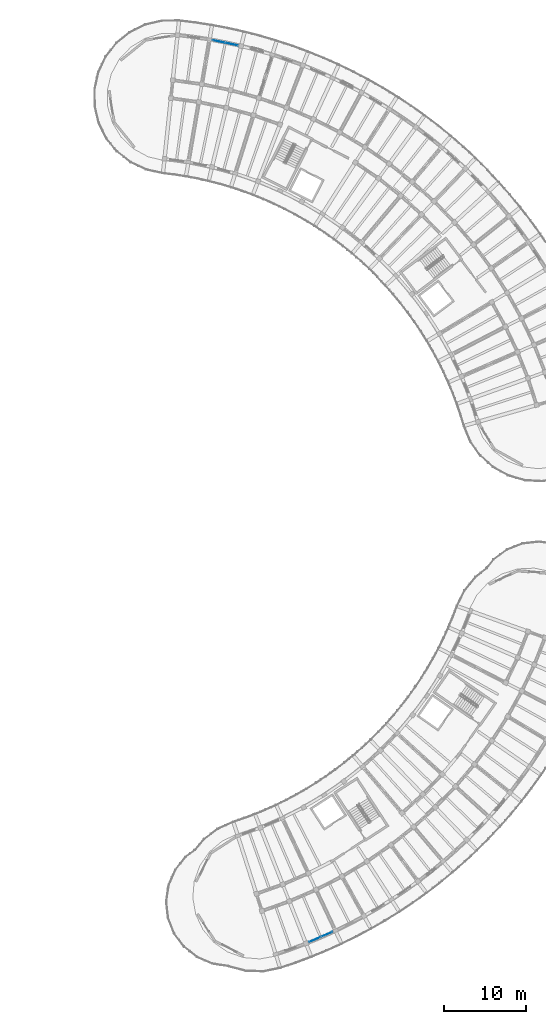
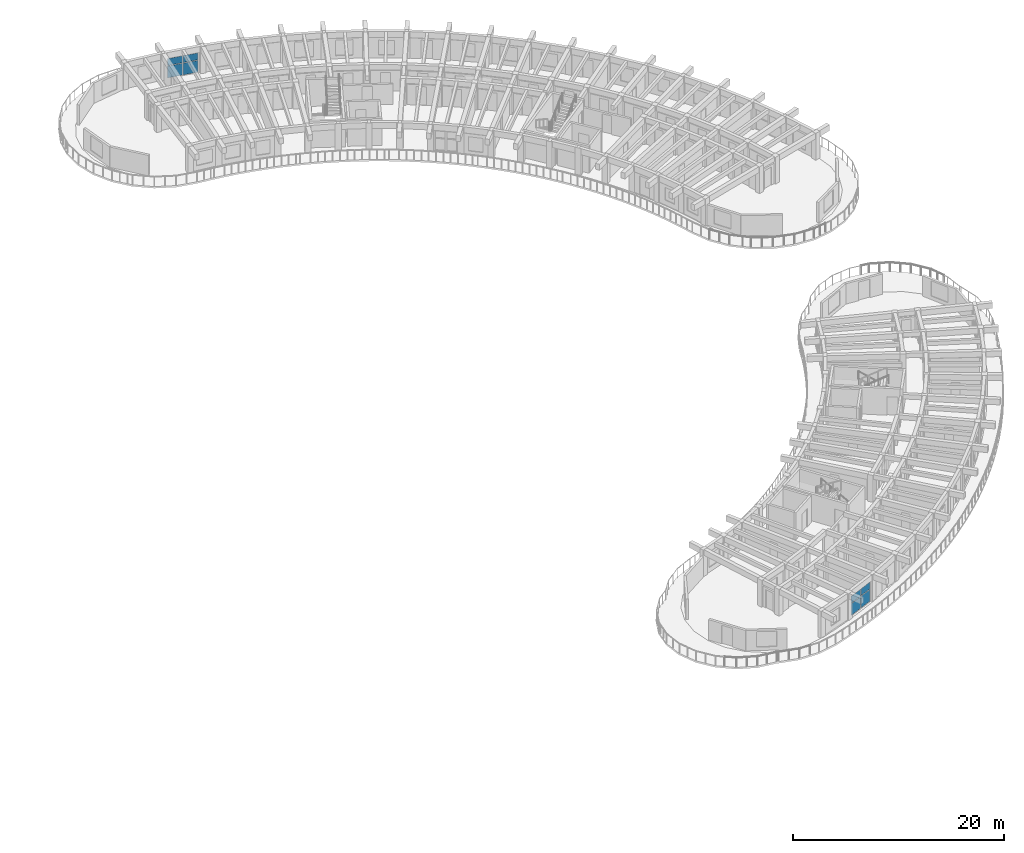
# One storey, part 35 of 81: 8 plates, 2 elements without a shape of their own.
"""IFC4 building model written with IfcOpenShell, lengths in metres."""

from ifc_helpers import new_model, si_unit, direction, frame, origin, origin_2d, place, context, subcontext, project, spatial, rectangle, extrude, material, layer, layer_set, type_object, element, aggregate, save


model = new_model("IFC4")

# Units and contexts
model_context = context("Model", 3, precision=1e-05, world=origin(), true_north=direction((0.0, 1.0)))
body_context = subcontext(model_context, "Body", "Model", "MODEL_VIEW")
ifc_project = project(units=[si_unit("LENGTHUNIT", "METRE"), si_unit("AREAUNIT", "SQUARE_METRE"), si_unit("VOLUMEUNIT", "CUBIC_METRE"), si_unit("PLANEANGLEUNIT", "RADIAN"), si_unit("MASSUNIT", "GRAM", prefix="KILO")], contexts=[model_context])

# Site, building, storey
site_placement = place(None, origin())
site = spatial("IfcSite", under=ifc_project, at=site_placement, CompositionType="ELEMENT")
building_placement = place(site_placement, origin())
building = spatial("IfcBuilding", under=site, at=building_placement, Name="Tanwirah Colonnade Gardens", CompositionType="ELEMENT")
storey_placement = place(building_placement, frame((0.0, 0.0, 18.919921875)))
storey = spatial("IfcBuildingStorey", under=building, at=storey_placement, Name="L05", CompositionType="ELEMENT", Elevation=18.919921875)

# Curtain wall, plates
ifc_material_1 = material(Name="Bronze-anodised aluminium and solar-control low-E glass", Category="aluminium")
curtain_wall_type = type_object("IfcCurtainWallType", Name="CW-LOB", PredefinedType="NOTDEFINED", material=ifc_material_1)
curtain_wall_1_placement = place(storey_placement, origin())
curtain_wall_1 = element("IfcCurtainWall", 1, at=curtain_wall_1_placement, inside=storey, type_object=curtain_wall_type, Name="Curtain Wall CW-B-L05-OUT-16", PredefinedType="NOTDEFINED")
ifc_material_2 = material(Name="Solar-control low-E double glazing", Category="glass")
ifc_layer_1 = layer(ifc_material_2, 0.028076171875)
ifc_layer_set_1 = layer_set([ifc_layer_1], Name="Solar-control low-E double glazing")
plate_type_1 = type_object("IfcPlateType", Name="CWP-GLZ28", PredefinedType="CURTAIN_PANEL", material=ifc_layer_set_1)
plate_1_placement = place(storey_placement, frame((133.8056640625, 118.3291015625, 0.06005859375), z_axis=(0.0, 0.0, 1.0), x_axis=(-0.979340523595, 0.202218047772, 0.0)))
plate_1 = element("IfcPlate", 2, at=plate_1_placement, type_object=plate_type_1, Name="CW-LOB panel 1.1", PredefinedType="CURTAIN_PANEL", context=body_context, shape_type="SweptSolid", body=[
    extrude(rectangle(XDim=1.512939453125, YDim=0.028076171875, at=origin_2d()), origin(), (0.0, 0.0, 1.0), 1.3701171875),
])
plate_2_placement = place(storey_placement, frame((133.8056640625, 118.3291015625, 1.490234375), z_axis=(0.0, 0.0, 1.0), x_axis=(-0.979340523595, 0.202218047772, 0.0)))
plate_2 = element("IfcPlate", 3, at=plate_2_placement, type_object=plate_type_1, Name="CW-LOB panel 1.2", PredefinedType="CURTAIN_PANEL", context=body_context, shape_type="SweptSolid", body=[
    extrude(rectangle(XDim=1.512939453125, YDim=0.028076171875, at=origin_2d()), origin(), (0.0, 0.0, 1.0), 0.804931640625),
])
plate_3_placement = place(storey_placement, frame((132.265380859375, 118.64697265625, 0.06005859375), z_axis=(0.0, 0.0, 1.0), x_axis=(-0.979340523595, 0.202218047772, 0.0)))
plate_3 = element("IfcPlate", 4, at=plate_3_placement, type_object=plate_type_1, Name="CW-LOB panel 2.1", PredefinedType="CURTAIN_PANEL", context=body_context, shape_type="SweptSolid", body=[
    extrude(rectangle(XDim=1.512939453125, YDim=0.028076171875, at=origin_2d()), origin(), (0.0, 0.0, 1.0), 1.3701171875),
])
plate_4_placement = place(storey_placement, frame((132.265380859375, 118.64697265625, 1.490234375), z_axis=(0.0, 0.0, 1.0), x_axis=(-0.979340523595, 0.202218047772, 0.0)))
plate_4 = element("IfcPlate", 5, at=plate_4_placement, type_object=plate_type_1, Name="CW-LOB panel 2.2", PredefinedType="CURTAIN_PANEL", context=body_context, shape_type="SweptSolid", body=[
    extrude(rectangle(XDim=1.512939453125, YDim=0.028076171875, at=origin_2d()), origin(), (0.0, 0.0, 1.0), 0.804931640625),
])
aggregate(curtain_wall_1, [plate_1, plate_2, plate_3, plate_4])

curtain_wall_2_placement = place(storey_placement, origin())
curtain_wall_2 = element("IfcCurtainWall", 6, at=curtain_wall_2_placement, inside=storey, type_object=curtain_wall_type, Name="Curtain Wall CW-D-L05-OUT-02", PredefinedType="NOTDEFINED")
ifc_material_3 = material(Name="Acoustic solar-control low-E double glazing", Category="glass")
ifc_layer_2 = layer(ifc_material_3, 0.031982421875)
ifc_layer_set_2 = layer_set([ifc_layer_2], Name="Acoustic solar-control low-E double glazing")
plate_type_2 = type_object("IfcPlateType", Name="CWP-GLZ32", PredefinedType="CURTAIN_PANEL", material=ifc_layer_set_2)
plate_5_placement = place(storey_placement, frame((143.900634765625, 9.55859375, 0.070068359375), z_axis=(0.0, 0.0, 1.0), x_axis=(0.917927036036, 0.396749236313, 0.0)))
plate_5 = element("IfcPlate", 7, at=plate_5_placement, type_object=plate_type_2, Name="CW-LOB panel 1.1", PredefinedType="CURTAIN_PANEL", context=body_context, shape_type="SweptSolid", body=[
    extrude(rectangle(XDim=1.4833984375, YDim=0.031982421875, at=origin_2d()), origin(), (0.0, 0.0, 1.0), 1.35498046875),
])
plate_6_placement = place(storey_placement, frame((143.900634765625, 9.55859375, 1.4951171875), z_axis=(0.0, 0.0, 1.0), x_axis=(0.917927036036, 0.396749236313, 0.0)))
plate_6 = element("IfcPlate", 8, at=plate_6_placement, type_object=plate_type_2, Name="CW-LOB panel 1.2", PredefinedType="CURTAIN_PANEL", context=body_context, shape_type="SweptSolid", body=[
    extrude(rectangle(XDim=1.4833984375, YDim=0.031982421875, at=origin_2d()), origin(), (0.0, 0.0, 1.0), 0.789794921875),
])
plate_7_placement = place(storey_placement, frame((145.32666015625, 10.1748046875, 0.070068359375), z_axis=(0.0, 0.0, 1.0), x_axis=(0.917927036036, 0.396749236313, 0.0)))
plate_7 = element("IfcPlate", 9, at=plate_7_placement, type_object=plate_type_2, Name="CW-LOB panel 2.1", PredefinedType="CURTAIN_PANEL", context=body_context, shape_type="SweptSolid", body=[
    extrude(rectangle(XDim=1.4833984375, YDim=0.031982421875, at=origin_2d()), origin(), (0.0, 0.0, 1.0), 1.35498046875),
])
plate_8_placement = place(storey_placement, frame((145.32666015625, 10.1748046875, 1.4951171875), z_axis=(0.0, 0.0, 1.0), x_axis=(0.917927036036, 0.396749236313, 0.0)))
plate_8 = element("IfcPlate", 10, at=plate_8_placement, type_object=plate_type_2, Name="CW-LOB panel 2.2", PredefinedType="CURTAIN_PANEL", context=body_context, shape_type="SweptSolid", body=[
    extrude(rectangle(XDim=1.4833984375, YDim=0.031982421875, at=origin_2d()), origin(), (0.0, 0.0, 1.0), 0.789794921875),
])
aggregate(curtain_wall_2, [plate_5, plate_6, plate_7, plate_8])

save(model, "model.ifc")
